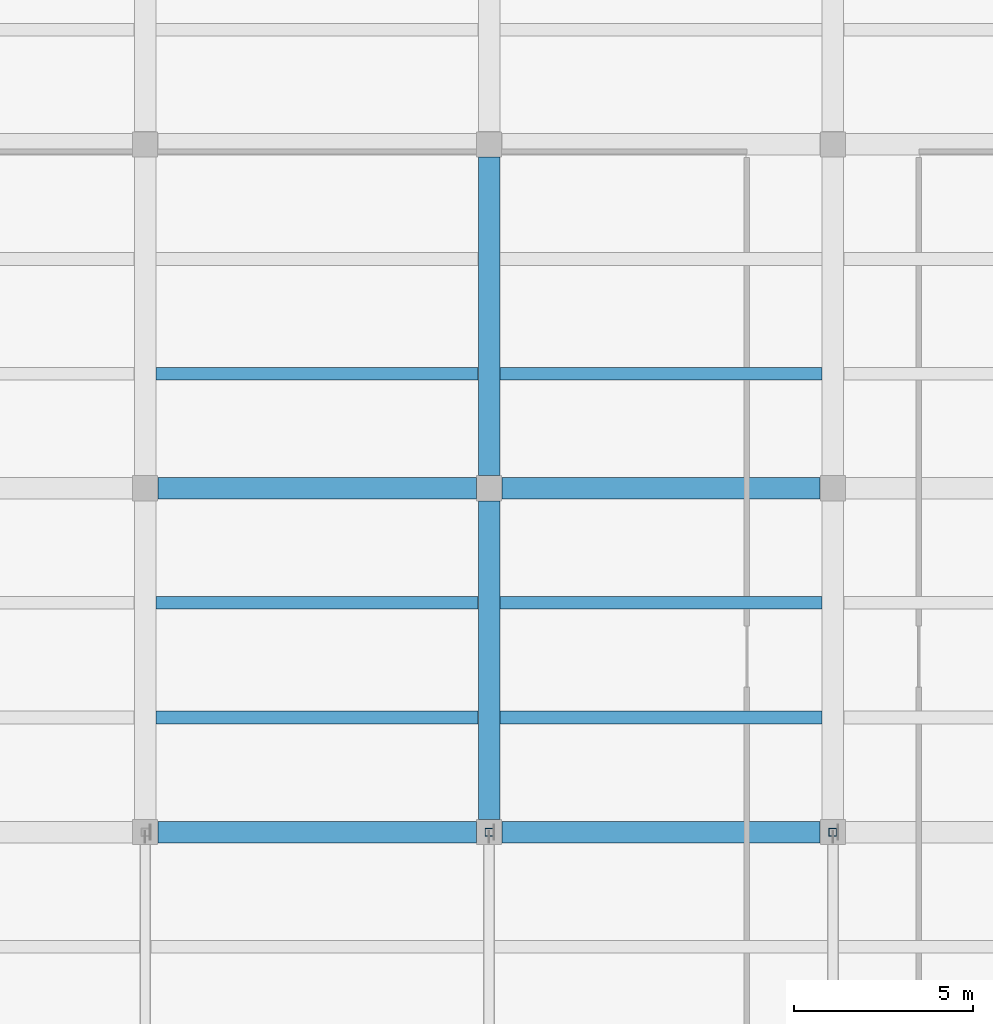
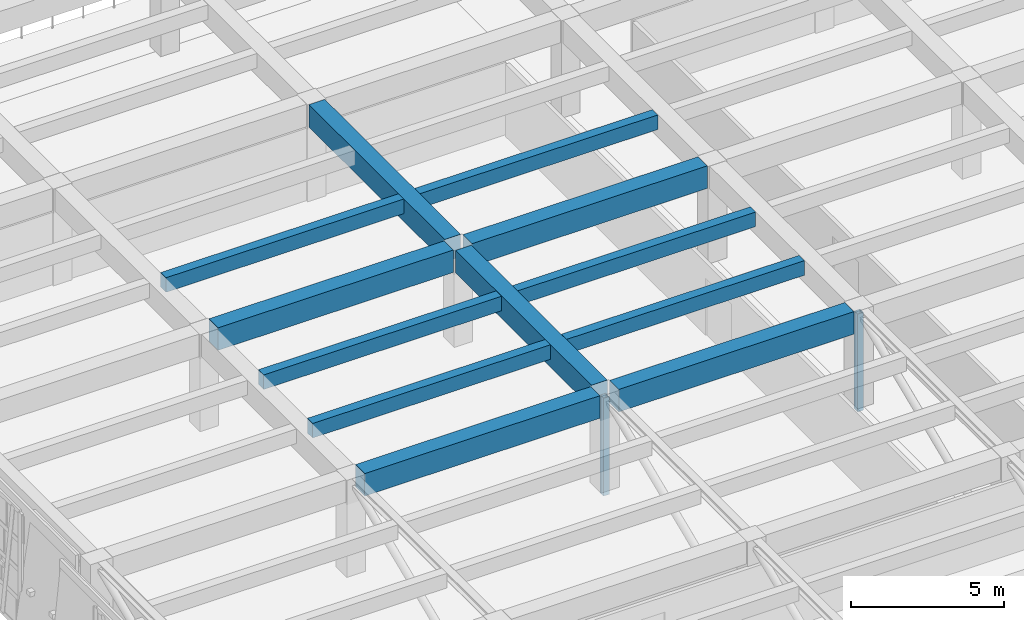
# One storey, part 15 of 62: 12 beams, 2 members.
"""IFC4 building model written with IfcOpenShell, lengths in metres."""

import ifcopenshell
import ifcopenshell.guid

model = None  # the IFC model being written
_history = None  # IfcOwnerHistory: only IFC2X3 demands one
_inside = {}  # id of a spatial element -> (the spatial element, [elements in it])
_under = {}  # id of a project, library or spatial element -> (it, [spatial elements below it])
_declared = {}  # id of a project -> (the project, [libraries it declares])
_typed = {}  # id of a type object -> (the type object, [elements of that type])
_made_of = {}  # id of a material, layer set ... -> (it, [elements and type objects made of it])


def new_model(schema):
    """Start an empty IFC model of exactly this schema.

    Asked for "IFC4X3", IfcOpenShell would pick the latest addendum, in which some entities
    have other attributes; the version numbers below select the first issue.
    IFC2X3 requires an IfcOwnerHistory on every rooted entity: one is made here for all.
    """
    global model, _history
    if schema == "IFC4X3":
        model = ifcopenshell.file(schema_version=(4, 3, 0, 0))
    else:
        model = ifcopenshell.file(schema=schema)
    _inside.clear()
    _under.clear()
    _declared.clear()
    _typed.clear()
    _made_of.clear()
    _history = None
    if model.schema == "IFC2X3":
        org = make("IfcOrganization", Name="unknown")
        user = make(
            "IfcPersonAndOrganization",
            ThePerson=make("IfcPerson", FamilyName="unknown"),
            TheOrganization=org,
        )
        app = make(
            "IfcApplication",
            ApplicationDeveloper=org,
            Version="unknown",
            ApplicationFullName="unknown",
            ApplicationIdentifier="unknown",
        )
        _history = make(
            "IfcOwnerHistory",
            OwningUser=user,
            OwningApplication=app,
            ChangeAction="ADDED",
            CreationDate=0,
        )
    return model


def make(cls, **values):
    """One entity of the class cls with the attributes given. An attribute that is None is left unset."""
    return model.create_entity(
        cls, **{name: value for name, value in values.items() if value is not None}
    )


def rooted(cls, **values):
    """An entity with a GlobalId (a new one), such as an element, a storey or a relation."""
    return make(cls, GlobalId=ifcopenshell.guid.new(), OwnerHistory=_history, **values)


def si_unit(unit_type, name, prefix=None):
    """IfcSIUnit, for example si_unit("LENGTHUNIT", "METRE", prefix="MILLI")."""
    return make("IfcSIUnit", UnitType=unit_type, Prefix=prefix, Name=name)


def assignment(units):
    """IfcUnitAssignment: the units of a project."""
    return None if units is None else make("IfcUnitAssignment", Units=units)


def point(xyz):
    """IfcCartesianPoint."""
    return None if xyz is None else make("IfcCartesianPoint", Coordinates=xyz)


def direction(xyz):
    """IfcDirection."""
    return None if xyz is None else make("IfcDirection", DirectionRatios=xyz)


def frame(location, z_axis=None, x_axis=None):
    """IfcAxis2Placement3D, a coordinate frame: its origin and axes. An axis left out is left unset."""
    return make(
        "IfcAxis2Placement3D",
        Location=point(location),
        Axis=direction(z_axis),
        RefDirection=direction(x_axis),
    )


def frame_2d(location, x_axis=None):
    """IfcAxis2Placement2D, a coordinate frame in the plane: its origin and x axis."""
    return make(
        "IfcAxis2Placement2D", Location=point(location), RefDirection=direction(x_axis)
    )


def origin():
    """The frame at (0, 0, 0) with its axes left unset."""
    return frame((0.0, 0.0, 0.0))


def origin_2d():
    """The frame at (0, 0) in the plane with its x axis left unset."""
    return frame_2d((0.0, 0.0))


def place(relative_to, where):
    """IfcLocalPlacement: puts the frame where relative to a parent placement (None: the world)."""
    return make(
        "IfcLocalPlacement", PlacementRelTo=relative_to, RelativePlacement=where
    )


def context(
    kind, dimensions, precision=None, world=None, true_north=None, identifier=None
):
    """IfcGeometricRepresentationContext, for example the 3D "Model" context."""
    return make(
        "IfcGeometricRepresentationContext",
        ContextIdentifier=identifier,
        ContextType=kind,
        CoordinateSpaceDimension=dimensions,
        Precision=precision,
        WorldCoordinateSystem=world,
        TrueNorth=true_north,
    )


def subcontext(parent, identifier, kind, view, scale=None):
    """IfcGeometricRepresentationSubContext, for example "Body" below "Model"."""
    return make(
        "IfcGeometricRepresentationSubContext",
        ContextIdentifier=identifier,
        ContextType=kind,
        ParentContext=parent,
        TargetScale=scale,
        TargetView=view,
    )


def project(units=None, contexts=None):
    """IfcProject with its units and contexts."""
    return rooted(
        "IfcProject",
        Name="project",
        RepresentationContexts=contexts,
        UnitsInContext=assignment(units),
    )


def spatial(cls, under=None, at=None, **own):
    """A site, building, storey or space (cls), placed at a placement, below another one or the project."""
    s = rooted(cls, ObjectPlacement=at, **own)
    if under is not None:
        _under.setdefault(under.id(), (under, []))[1].append(s)
    return s


def profile(cls, at=None, kind="AREA", **sizes):
    """A parametric profile (cls). Its sizes go by their IFC names, for example OverallWidth=200.0."""
    return make(cls, ProfileType=kind, Position=at, **sizes)


def rectangle(**sizes):
    """IfcRectangleProfileDef."""
    return profile("IfcRectangleProfileDef", **sizes)


def hollow_rectangle(**sizes):
    """IfcRectangleHollowProfileDef."""
    return profile("IfcRectangleHollowProfileDef", **sizes)


def extrude(swept, where, along, depth):
    """IfcExtrudedAreaSolid: the profile swept, set in the frame where, extruded along a direction by depth."""
    return make(
        "IfcExtrudedAreaSolid",
        SweptArea=swept,
        Position=where,
        ExtrudedDirection=direction(along),
        Depth=depth,
    )


def shape(context_of_items, identifier, shape_type, items):
    """IfcShapeRepresentation: the items that make up one representation, for example the "Body"."""
    return make(
        "IfcShapeRepresentation",
        ContextOfItems=context_of_items,
        RepresentationIdentifier=identifier,
        RepresentationType=shape_type,
        Items=items,
    )


def material(Name=None, Category=None):
    """IfcMaterial."""
    return make("IfcMaterial", Name=Name, Category=Category)


def material_profile(
    of_material, cross_section, Name=None, Category=None, Priority=None
):
    """IfcMaterialProfile: a cross section and its material."""
    return make(
        "IfcMaterialProfile",
        Name=Name,
        Material=of_material,
        Profile=cross_section,
        Priority=Priority,
        Category=Category,
    )


def profile_set(profiles, Name=None, composite=None):
    """IfcMaterialProfileSet."""
    return make(
        "IfcMaterialProfileSet",
        Name=Name,
        MaterialProfiles=profiles,
        CompositeProfile=composite,
    )


def made_of(thing, what):
    """Note that an element or type object is made of a material, layer set ...; save() writes the relation."""
    if what is not None:
        _made_of.setdefault(what.id(), (what, []))[1].append(thing)
    return thing


def type_object(cls, material=None, **own):
    """A type object (cls), such as IfcWallType, which elements share."""
    return made_of(rooted(cls, **own), material)


def element(
    cls,
    number,
    at=None,
    inside=None,
    cuts=None,
    type_object=None,
    material=None,
    context=None,
    identifier="Body",
    shape_type=None,
    held_by="IfcProductDefinitionShape",
    body=None,
    shapes=None,
    **own,
):
    """One element of the class cls, such as IfcWall. Its Tag is "e" and its number.

    at: its placement. inside: the storey or other place that contains it. cuts: it is an
    opening in that element (IfcRelVoidsElement). A single representation is given by context,
    identifier, shape_type and body (its items); several are given by shapes. held_by: the class
    of the entity that holds the representations. save() writes the other relations.
    """
    e = rooted(cls, Tag="e%d" % number, ObjectPlacement=at, **own)
    if body is not None:
        shapes = [shape(context, identifier, shape_type, body)]
    if shapes is not None:
        e.Representation = make(held_by, Representations=shapes)
    if inside is not None:
        _inside.setdefault(inside.id(), (inside, []))[1].append(e)
    if cuts is not None:
        rooted(
            "IfcRelVoidsElement", RelatingBuildingElement=cuts, RelatedOpeningElement=e
        )
    if type_object is not None:
        _typed.setdefault(type_object.id(), (type_object, []))[1].append(e)
    return made_of(e, material)


def aggregate(whole, parts):
    """IfcRelAggregates: a whole, such as a stair, and the parts it consists of."""
    return rooted("IfcRelAggregates", RelatingObject=whole, RelatedObjects=parts)


def save(model, path):
    """Write the relations noted so far, then the file.

    IfcRelAggregates (storeys below a building ...), IfcRelContainedInSpatialStructure (elements
    in a storey), IfcRelDefinesByType, IfcRelAssociatesMaterial and IfcRelDeclares: one each for
    every whole, place, type object, material and project.
    """
    for whole, parts in _under.values():
        aggregate(whole, parts)
    for where, things in _inside.values():
        rooted(
            "IfcRelContainedInSpatialStructure",
            RelatedElements=things,
            RelatingStructure=where,
        )
    for kind, things in _typed.values():
        rooted("IfcRelDefinesByType", RelatedObjects=things, RelatingType=kind)
    for what, things in _made_of.values():
        rooted("IfcRelAssociatesMaterial", RelatedObjects=things, RelatingMaterial=what)
    for by, libraries in _declared.values():
        rooted("IfcRelDeclares", RelatingContext=by, RelatedDefinitions=libraries)
    model.write(path)


model = new_model("IFC4")

# Units and contexts
model_context = context("Model", 3, precision=1e-05, world=origin(), true_north=direction((0.0, 1.0)))
body_context = subcontext(model_context, "Body", "Model", "MODEL_VIEW")
ifc_project = project(units=[si_unit("LENGTHUNIT", "METRE"), si_unit("AREAUNIT", "SQUARE_METRE"), si_unit("VOLUMEUNIT", "CUBIC_METRE"), si_unit("PLANEANGLEUNIT", "RADIAN"), si_unit("MASSUNIT", "GRAM", prefix="KILO")], contexts=[model_context])

# Site, building, storey
site_placement = place(None, origin())
site = spatial("IfcSite", under=ifc_project, at=site_placement, CompositionType="ELEMENT")
building_placement = place(site_placement, origin())
building = spatial("IfcBuilding", under=site, at=building_placement, Name="Bempovik Park Faculty of Sciences", CompositionType="ELEMENT")
storey_placement = place(building_placement, frame((0.0, 0.0, 9.89990234375)))
storey = spatial("IfcBuildingStorey", under=building, at=storey_placement, Name="L02", CompositionType="ELEMENT", Elevation=9.89990234375)

# Beams
ifc_material_1 = material(Name="Concrete C35/45", Category="concrete")
ifc_material_profile_1 = material_profile(ifc_material_1, rectangle(XDim=0.35009765625, YDim=0.580078125, at=origin_2d()), Name="RC 350x580")
ifc_profile_set_1 = profile_set([ifc_material_profile_1], Name="Concrete C35/45")
beam_type_1 = type_object("IfcBeamType", Name="B-107 RC 350x580", PredefinedType="JOIST", material=ifc_profile_set_1)
for number, where, z_axis, x_axis, name in (
    (1, (69.906005859375, 42.199951171875, 3.610107421875), (1.0, 0.0, 0.0), (0.0, 1.0, 0.0), "L02 Secondary Joist (69.6-79.2, y=42.20)"),
    (2, (69.906005859375, 45.39990234375, 3.610107421875), (1.0, 0.0, 0.0), (0.0, 1.0, 0.0), "L02 Secondary Joist (69.6-79.2, y=45.40)"),
    (3, (69.906005859375, 51.800048828125, 3.610107421875), (1.0, 0.0, 0.0), (0.0, 1.0, 0.0), "L02 Secondary Joist (69.6-79.2, y=51.80)"),
):
    element("IfcBeam", number, at=place(storey_placement, frame(where, z_axis=z_axis, x_axis=x_axis)), inside=storey, type_object=beam_type_1, Name=name, PredefinedType="JOIST", context=body_context, shape_type="SweptSolid", body=[
        extrude(rectangle(XDim=0.35009765625, YDim=0.580078125, at=origin_2d()), origin(), (0.0, 0.0, 1.0), 8.988037109375),
    ])
for number, where, z_axis, x_axis, name in (
    (4, (79.506103515625, 42.199951171875, 3.610107421875), (1.0, 0.0, 0.0), (0.0, 1.0, 0.0), "L02 Secondary Joist (79.2-88.8, y=42.20)"),
    (5, (79.506103515625, 45.39990234375, 3.610107421875), (1.0, 0.0, 0.0), (0.0, 1.0, 0.0), "L02 Secondary Joist (79.2-88.8, y=45.40)"),
    (6, (79.506103515625, 51.800048828125, 3.610107421875), (1.0, 0.0, 0.0), (0.0, 1.0, 0.0), "L02 Secondary Joist (79.2-88.8, y=51.80)"),
):
    element("IfcBeam", number, at=place(storey_placement, frame(where, z_axis=z_axis, x_axis=x_axis)), inside=storey, type_object=beam_type_1, Name=name, PredefinedType="JOIST", context=body_context, shape_type="SweptSolid", body=[
        extrude(rectangle(XDim=0.35009765625, YDim=0.580078125, at=origin_2d()), origin(), (0.0, 0.0, 1.0), 8.98779296875),
    ])
ifc_material_2 = material(Name="Concrete C40/50", Category="concrete")
ifc_material_profile_2 = material_profile(ifc_material_2, rectangle(XDim=0.60009765625, YDim=0.89990234375, at=origin_2d()), Name="RC 600x900")
ifc_profile_set_2 = profile_set([ifc_material_profile_2], Name="Concrete C40/50")
beam_type_2 = type_object("IfcBeamType", Name="B-115 RC 600x900", PredefinedType="BEAM", material=ifc_profile_set_2)
beam_1_placement = place(storey_placement, frame((69.9560546875, 39.0, 3.4501953125), z_axis=(1.0, 0.0, 0.0), x_axis=(0.0, 1.0, 0.0)))
element("IfcBeam", 7, at=beam_1_placement, inside=storey, type_object=beam_type_2, Name="L02 Beam X (69.6-79.2, y=39.0)", PredefinedType="BEAM", context=body_context, shape_type="SweptSolid", body=[
    extrude(rectangle(XDim=0.60009765625, YDim=0.89990234375, at=origin_2d()), origin(), (0.0, 0.0, 1.0), 8.887939453125),
])
beam_2_placement = place(storey_placement, frame((79.555908203125, 39.0, 3.4501953125), z_axis=(1.0, 0.0, 0.0), x_axis=(0.0, 1.0, 0.0)))
element("IfcBeam", 8, at=beam_2_placement, inside=storey, type_object=beam_type_2, Name="L02 Beam X (79.2-88.8, y=39.0)", PredefinedType="BEAM", context=body_context, shape_type="SweptSolid", body=[
    extrude(rectangle(XDim=0.60009765625, YDim=0.89990234375, at=origin_2d()), origin(), (0.0, 0.0, 1.0), 8.88818359375),
])
beam_3_placement = place(storey_placement, frame((69.9560546875, 48.60009765625, 3.4501953125), z_axis=(1.0, 0.0, 0.0), x_axis=(0.0, 1.0, 0.0)))
element("IfcBeam", 9, at=beam_3_placement, inside=storey, type_object=beam_type_2, Name="L02 Beam X (69.6-79.2, y=48.6)", PredefinedType="BEAM", context=body_context, shape_type="SweptSolid", body=[
    extrude(rectangle(XDim=0.60009765625, YDim=0.89990234375, at=origin_2d()), origin(), (0.0, 0.0, 1.0), 8.887939453125),
])
beam_4_placement = place(storey_placement, frame((79.555908203125, 48.60009765625, 3.4501953125), z_axis=(1.0, 0.0, 0.0), x_axis=(0.0, 1.0, 0.0)))
element("IfcBeam", 10, at=beam_4_placement, inside=storey, type_object=beam_type_2, Name="L02 Beam X (79.2-88.8, y=48.6)", PredefinedType="BEAM", context=body_context, shape_type="SweptSolid", body=[
    extrude(rectangle(XDim=0.60009765625, YDim=0.89990234375, at=origin_2d()), origin(), (0.0, 0.0, 1.0), 8.88818359375),
])
for number, where, z_axis, x_axis, name in (
    (11, (79.199951171875, 39.35595703125, 3.4501953125), (0.0, 1.0, 0.0), (-1.0, 0.0, 0.0), "L02 Beam Y (x=79.2, 39.0-48.6)"),
    (12, (79.199951171875, 48.9560546875, 3.4501953125), (0.0, 1.0, 0.0), (-1.0, 0.0, 0.0), "L02 Beam Y (x=79.2, 48.6-58.2)"),
):
    element("IfcBeam", number, at=place(storey_placement, frame(where, z_axis=z_axis, x_axis=x_axis)), inside=storey, type_object=beam_type_2, Name=name, PredefinedType="BEAM", context=body_context, shape_type="SweptSolid", body=[
        extrude(rectangle(XDim=0.60009765625, YDim=0.89990234375, at=origin_2d()), origin(), (0.0, 0.0, 1.0), 8.887939453125),
    ])

# Members
ifc_material_3 = material(Name="Steel S355", Category="steel")
ifc_material_profile_3 = material_profile(ifc_material_3, hollow_rectangle(XDim=0.219970703125, YDim=0.219970703125, WallThickness=0.010009765625, at=origin_2d()), Name="SHS 220x220x10")
ifc_profile_set_3 = profile_set([ifc_material_profile_3], Name="Steel S355")
member_type = type_object("IfcMemberType", Name="M-32 SHS 220x220x10", PredefinedType="POST", material=ifc_profile_set_3)
for number, where, z_axis, x_axis, name in (
    (13, (79.199951171875, 39.0, -0.31396484375), (0.0, 0.0, 1.0), (1.0, 0.0, 0.0), "Cantilever Truss 3 L02 Post 5"),
    (14, (88.800048828125, 39.0, -0.31396484375), (0.0, 0.0, 1.0), (1.0, 0.0, 0.0), "Cantilever Truss 4 L02 Post 5"),
):
    element("IfcMember", number, at=place(storey_placement, frame(where, z_axis=z_axis, x_axis=x_axis)), inside=storey, type_object=member_type, Name=name, PredefinedType="POST", context=body_context, shape_type="SweptSolid", body=[
        extrude(hollow_rectangle(XDim=0.219970703125, YDim=0.219970703125, WallThickness=0.010009765625, at=origin_2d()), origin(), (0.0, 0.0, 1.0), 3.907958984375),
    ])

save(model, "model.ifc")
